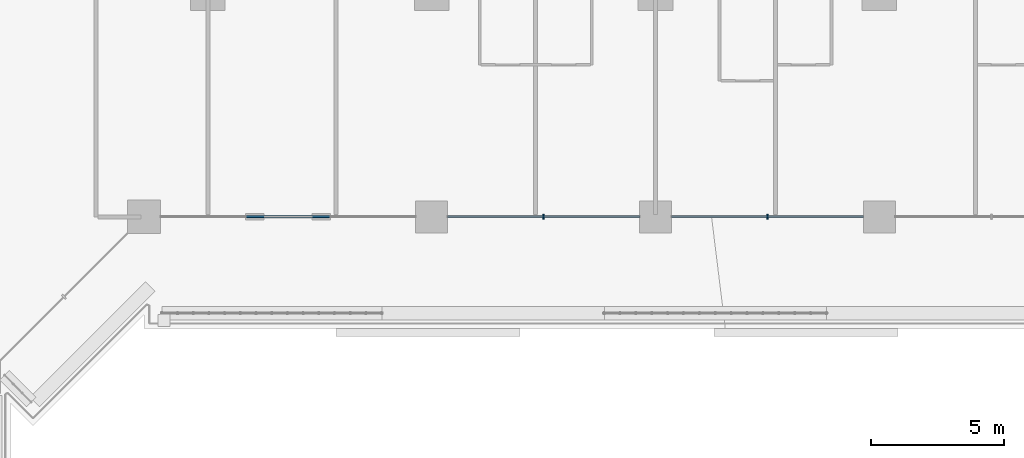
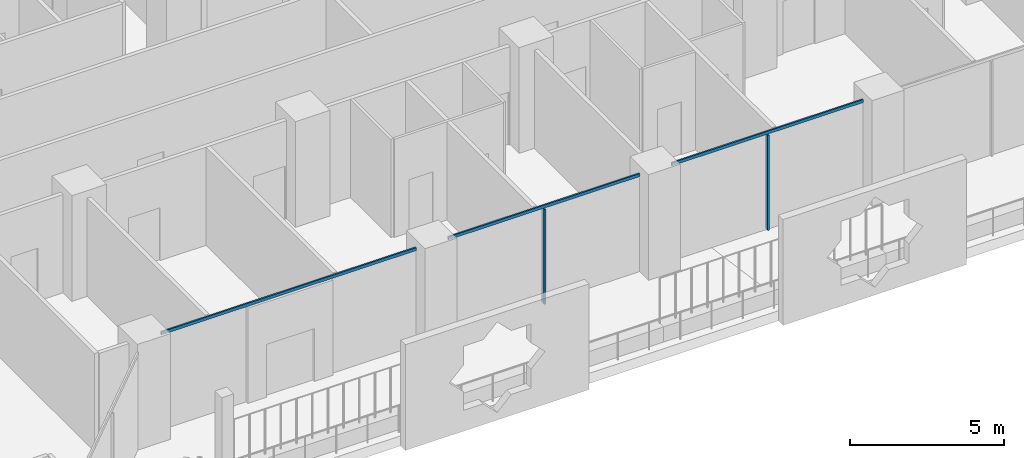
# One storey, part 6 of 28: 5 members, 1 element without a shape of its own.
"""IFC4 building model written with IfcOpenShell, lengths in metres."""

from ifc_helpers import new_model, si_unit, direction, frame, origin, origin_2d, place, context, subcontext, project, spatial, rectangle, extrude, material, layer, layer_set, material_profile, profile_set, type_object, element, aggregate, save


model = new_model("IFC4")

# Units and contexts
model_context = context("Model", 3, precision=1e-05, world=origin(), true_north=direction((0.0, 1.0)))
body_context = subcontext(model_context, "Body", "Model", "MODEL_VIEW")
ifc_project = project(units=[si_unit("LENGTHUNIT", "METRE"), si_unit("AREAUNIT", "SQUARE_METRE"), si_unit("VOLUMEUNIT", "CUBIC_METRE"), si_unit("PLANEANGLEUNIT", "RADIAN"), si_unit("MASSUNIT", "GRAM", prefix="KILO")], contexts=[model_context])

# Site, building, storey
site_placement = place(None, origin())
site = spatial("IfcSite", under=ifc_project, at=site_placement, CompositionType="ELEMENT")
building_placement = place(site_placement, origin())
building = spatial("IfcBuilding", under=site, at=building_placement, Name="Kawkab Arch Medical Tower", CompositionType="ELEMENT")
storey_placement = place(building_placement, frame((0.0, 0.0, 81.199951171875)))
storey = spatial("IfcBuildingStorey", under=building, at=storey_placement, Name="L18", CompositionType="ELEMENT", Elevation=81.199951171875)

# Curtain wall, members
ifc_material_1 = material(Name="Bronze anodised aluminium curtain wall frame", Category="aluminium")
ifc_layer = layer(ifc_material_1, 0.159912109375)
ifc_layer_set = layer_set([ifc_layer], Name="Bronze anodised aluminium curtain wall frame")
curtain_wall_type = type_object("IfcCurtainWallType", Name="CW1 ward curtain wall", PredefinedType="NOTDEFINED", material=ifc_layer_set)
curtain_wall_placement = place(storey_placement, origin())
curtain_wall = element("IfcCurtainWall", 1, at=curtain_wall_placement, inside=storey, type_object=curtain_wall_type, Name="CW1 Ward curtain wall R07", PredefinedType="NOTDEFINED")
ifc_material_2 = material(Name="Bronze anodised aluminium curtain wall frame", Category="aluminium")
ifc_material_profile_1 = material_profile(ifc_material_2, rectangle(XDim=0.179931640625, YDim=0.06005859375, at=origin_2d()), Name="AL 60x180")
ifc_profile_set_1 = profile_set([ifc_material_profile_1], Name="Bronze anodised aluminium curtain wall frame")
member_type_1 = type_object("IfcMemberType", Name="CW1 mullion 60 x 180", PredefinedType="MULLION", material=ifc_profile_set_1)
member_1_placement = place(storey_placement, frame((46.199951171875, -25.199951171875, 0.0), z_axis=(0.0, 0.0, 1.0), x_axis=(0.0, 1.0, 0.0)))
member_1 = element("IfcMember", 2, at=member_1_placement, type_object=member_type_1, Name="CW1 mullion 2.1", PredefinedType="MULLION", context=body_context, shape_type="SweptSolid", body=[
    extrude(rectangle(XDim=0.179931640625, YDim=0.06005859375, at=origin_2d()), origin(), (0.0, 0.0, 1.0), 3.780029296875),
])
member_2_placement = place(storey_placement, frame((54.60009765625, -25.199951171875, 0.0), z_axis=(0.0, 0.0, 1.0), x_axis=(0.0, 1.0, 0.0)))
member_2 = element("IfcMember", 3, at=member_2_placement, type_object=member_type_1, Name="CW1 mullion 3.1", PredefinedType="MULLION", context=body_context, shape_type="SweptSolid", body=[
    extrude(rectangle(XDim=0.179931640625, YDim=0.06005859375, at=origin_2d()), origin(), (0.0, 0.0, 1.0), 3.780029296875),
])
ifc_material_3 = material(Name="Bronze anodised aluminium curtain wall frame", Category="aluminium")
ifc_material_profile_2 = material_profile(ifc_material_3, rectangle(XDim=0.06005859375, YDim=0.1201171875, at=origin_2d()), Name="AL 60x120")
ifc_profile_set_2 = profile_set([ifc_material_profile_2], Name="Bronze anodised aluminium curtain wall frame")
member_type_2 = type_object("IfcMemberType", Name="CW1 transom 120 x 60", PredefinedType="USERDEFINED", material=ifc_profile_set_2)
member_3_placement = place(storey_placement, frame((31.824951171875, -25.199951171875, 3.840087890625), z_axis=(1.0, 0.0, 0.0), x_axis=(0.0, 1.0, 0.0)))
member_3 = element("IfcMember", 4, at=member_3_placement, type_object=member_type_2, Name="CW1 transom 1", ObjectType="TRANSOM", PredefinedType="USERDEFINED", context=body_context, shape_type="SweptSolid", body=[
    extrude(rectangle(XDim=0.06005859375, YDim=0.1201171875, at=origin_2d()), origin(), (0.0, 0.0, 1.0), 9.574951171875),
])
member_4_placement = place(storey_placement, frame((42.60009765625, -25.199951171875, 3.840087890625), z_axis=(1.0, 0.0, 0.0), x_axis=(0.0, 1.0, 0.0)))
member_4 = element("IfcMember", 5, at=member_4_placement, type_object=member_type_2, Name="CW1 transom 2", ObjectType="TRANSOM", PredefinedType="USERDEFINED", context=body_context, shape_type="SweptSolid", body=[
    extrude(rectangle(XDim=0.06005859375, YDim=0.1201171875, at=origin_2d()), origin(), (0.0, 0.0, 1.0), 7.199951171875),
])
member_5_placement = place(storey_placement, frame((51.0, -25.199951171875, 3.840087890625), z_axis=(1.0, 0.0, 0.0), x_axis=(0.0, 1.0, 0.0)))
member_5 = element("IfcMember", 6, at=member_5_placement, type_object=member_type_2, Name="CW1 transom 3", ObjectType="TRANSOM", PredefinedType="USERDEFINED", context=body_context, shape_type="SweptSolid", body=[
    extrude(rectangle(XDim=0.06005859375, YDim=0.1201171875, at=origin_2d()), origin(), (0.0, 0.0, 1.0), 7.199951171875),
])
aggregate(curtain_wall, [member_3, member_4, member_1, member_5, member_2])

save(model, "model.ifc")
